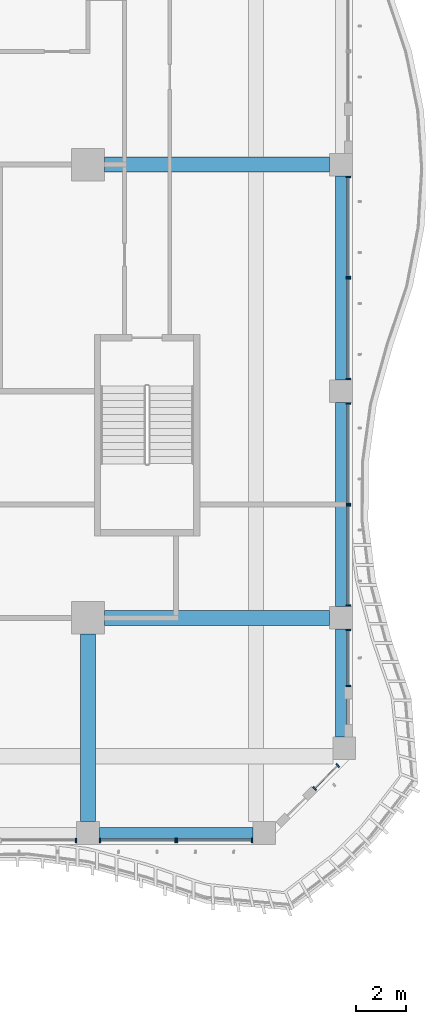
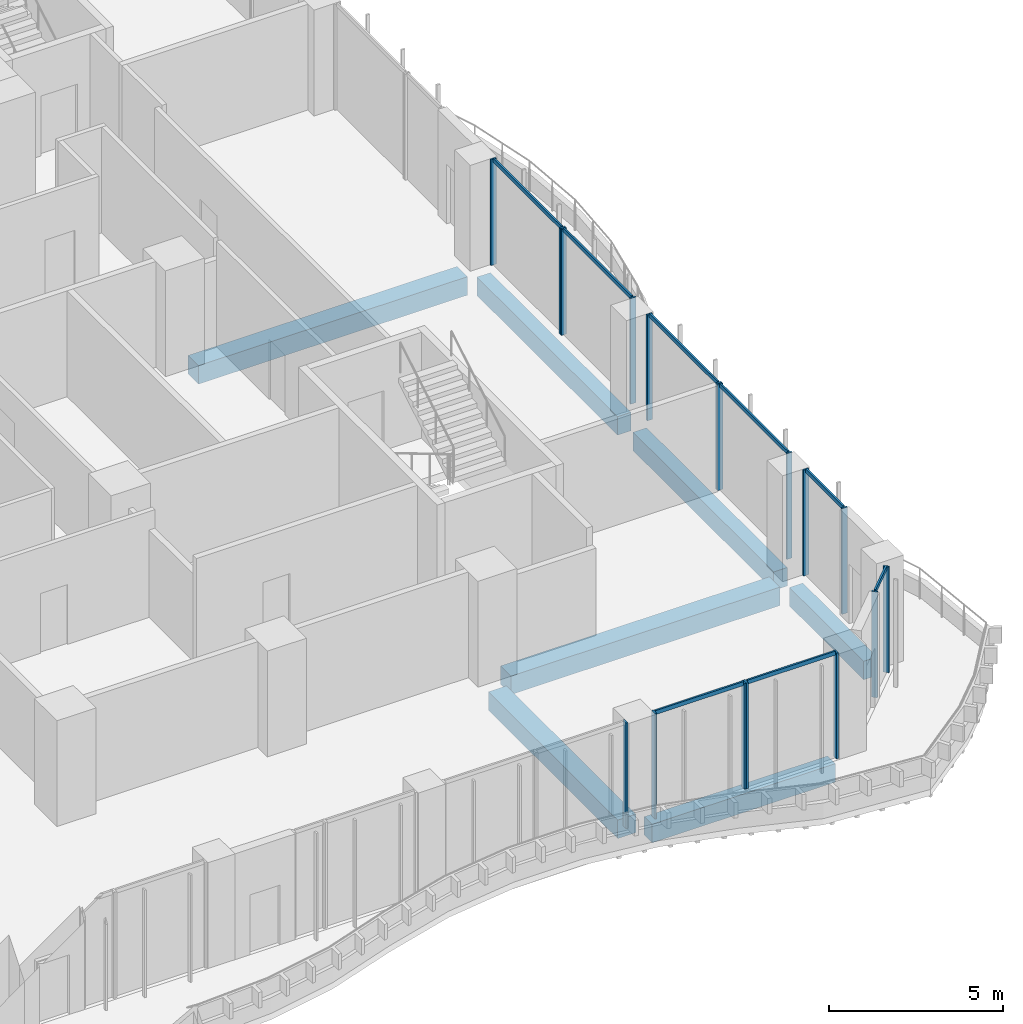
# One storey, part 7 of 29: 25 members, 7 beams, 9 elements without a shape of their own.
"""IFC4 building model written with IfcOpenShell, lengths in metres."""

from ifc_helpers import new_model, si_unit, direction, frame, origin, origin_2d, place, context, subcontext, project, spatial, rectangle, extrude, source, transform, mapped, material, material_profile, profile_set, type_object, element, aggregate, save


model = new_model("IFC4")

# Units and contexts
model_context = context("Model", 3, precision=1e-05, world=origin(), true_north=direction((0.0, 1.0)))
body_context = subcontext(model_context, "Body", "Model", "MODEL_VIEW")
ifc_project = project(units=[si_unit("LENGTHUNIT", "METRE"), si_unit("AREAUNIT", "SQUARE_METRE"), si_unit("VOLUMEUNIT", "CUBIC_METRE"), si_unit("PLANEANGLEUNIT", "RADIAN"), si_unit("MASSUNIT", "GRAM", prefix="KILO")], contexts=[model_context])

# Site, building, storey
site_placement = place(None, origin())
site = spatial("IfcSite", under=ifc_project, at=site_placement, CompositionType="ELEMENT")
building_placement = place(site_placement, origin())
building = spatial("IfcBuilding", under=site, at=building_placement, Name="Kilnfold Tower and Market Hall", CompositionType="ELEMENT")
storey_placement = place(building_placement, frame((0.0, 0.0, 27.0)))
storey = spatial("IfcBuildingStorey", under=building, at=storey_placement, Name="L05", CompositionType="ELEMENT", Elevation=27.0)

# Beams
ifc_material_1 = material(Name="Concrete C45", Category="concrete")
ifc_material_profile_1 = material_profile(ifc_material_1, rectangle(XDim=0.449951171875, YDim=0.64990234375, at=origin_2d()), Name="RC 450x650")
ifc_profile_set_1 = profile_set([ifc_material_profile_1], Name="Concrete C45")
beam_type_1 = type_object("IfcBeamType", Name="EDGE BEAM 450X650 C45", PredefinedType="BEAM", material=ifc_profile_set_1)
shared_shape_1 = source(origin(), body_context, "Body", "SweptSolid", [
    extrude(rectangle(XDim=0.449951171875, YDim=0.64990234375, at=origin_2d()), origin(), (0.0, 0.0, 1.0), 6.10009765625),
])
beam_1_placement = place(storey_placement, frame((17.949951171875, -27.550048828125, -0.60498046875), z_axis=(1.0, 0.0, 0.0), x_axis=(0.0, 1.0, 0.0)))
element("IfcBeam", 1, at=beam_1_placement, inside=storey, type_object=beam_type_1, Name="Beam EB650-B1.6", PredefinedType="BEAM", context=body_context, shape_type="MappedRepresentation", body=[
    mapped(shared_shape_1, transform((0.0, 0.0, 0.0))),
])
ifc_material_2 = material(Name="Concrete C45", Category="concrete")
ifc_material_profile_2 = material_profile(ifc_material_2, rectangle(XDim=0.60009765625, YDim=0.64990234375, at=origin_2d()), Name="RC 600x650")
ifc_profile_set_2 = profile_set([ifc_material_profile_2], Name="Concrete C45")
beam_type_2 = type_object("IfcBeamType", Name="BEAM 600X650 C45", PredefinedType="BEAM", material=ifc_profile_set_2)
shared_shape_2 = source(origin(), body_context, "Body", "SweptSolid", [
    extrude(rectangle(XDim=0.60009765625, YDim=0.64990234375, at=origin_2d()), origin(), (0.0, 0.0, 1.0), 8.9501953125),
])
for number, where, z_axis, x_axis, name in (
    (2, (18.14990234375, -19.0, -0.60498046875), (1.0, 0.0, 0.0), (0.0, 1.0, 0.0), "Beam BB650-B1.12"),
    (3, (18.14990234375, -1.0, -0.60498046875), (1.0, 0.0, 0.0), (0.0, 1.0, 0.0), "Beam BB650-B1.20"),
):
    element("IfcBeam", number, at=place(storey_placement, frame(where, z_axis=z_axis, x_axis=x_axis)), inside=storey, type_object=beam_type_2, Name=name, PredefinedType="BEAM", context=body_context, shape_type="MappedRepresentation", body=[
        mapped(shared_shape_2, transform((0.0, 0.0, 0.0))),
    ])
shared_shape_3 = source(origin(), body_context, "Body", "SweptSolid", [
    extrude(rectangle(XDim=0.449951171875, YDim=0.64990234375, at=origin_2d()), origin(), (0.0, 0.0, 1.0), 8.10009765625),
])
for number, where, z_axis, x_axis, name in (
    (4, (27.550048828125, -18.550048828125, -0.60498046875), (0.0, 1.0, 0.0), (-1.0, 0.0, 0.0), "Beam EB650-B1.52"),
    (5, (27.550048828125, -9.550048828125, -0.60498046875), (0.0, 1.0, 0.0), (-1.0, 0.0, 0.0), "Beam EB650-B1.58"),
):
    element("IfcBeam", number, at=place(storey_placement, frame(where, z_axis=z_axis, x_axis=x_axis)), inside=storey, type_object=beam_type_1, Name=name, PredefinedType="BEAM", context=body_context, shape_type="MappedRepresentation", body=[
        mapped(shared_shape_3, transform((0.0, 0.0, 0.0))),
    ])
shared_shape_4 = source(origin(), body_context, "Body", "SweptSolid", [
    extrude(rectangle(XDim=0.60009765625, YDim=0.64990234375, at=origin_2d()), origin(), (0.0, 0.0, 1.0), 7.4501953125),
])
beam_2_placement = place(storey_placement, frame((17.5, -27.10009765625, -0.60498046875), z_axis=(0.0, 1.0, 0.0), x_axis=(-1.0, 0.0, 0.0)))
element("IfcBeam", 6, at=beam_2_placement, inside=storey, type_object=beam_type_2, Name="Beam BB650-B1.50", PredefinedType="BEAM", context=body_context, shape_type="MappedRepresentation", body=[
    mapped(shared_shape_4, transform((0.0, 0.0, 0.0))),
])
shared_shape_5 = source(origin(), body_context, "Body", "SweptSolid", [
    extrude(rectangle(XDim=0.449951171875, YDim=0.64990234375, at=origin_2d()), origin(), (0.0, 0.0, 1.0), 4.28173828125),
])
beam_3_placement = place(storey_placement, frame((27.550048828125, -23.731689453125, -0.60498046875), z_axis=(0.0, 1.0, 0.0), x_axis=(-1.0, 0.0, 0.0)))
element("IfcBeam", 7, at=beam_3_placement, inside=storey, type_object=beam_type_1, Name="Beam EB650-B1.51", PredefinedType="BEAM", context=body_context, shape_type="MappedRepresentation", body=[
    mapped(shared_shape_5, transform((0.0, 0.0, 0.0))),
])

# Curtain wall, member
ifc_material_3 = material(Name="Aluminium and double glazing", Category="aluminium")
curtain_wall_type = type_object("IfcCurtainWallType", Name="CW OF1 VALLEY GLAZING", PredefinedType="NOTDEFINED", material=ifc_material_3)
curtain_wall_1_placement = place(storey_placement, origin())
curtain_wall_1 = element("IfcCurtainWall", 8, at=curtain_wall_1_placement, inside=storey, type_object=curtain_wall_type, Name="Curtain wall CW1 L05 S", PredefinedType="NOTDEFINED")
ifc_material_4 = material(Name="Aluminium", Category="aluminium")
ifc_material_profile_3 = material_profile(ifc_material_4, rectangle(XDim=0.06005859375, YDim=0.179931640625, at=origin_2d()), Name="MULLION 60x180")
ifc_profile_set_3 = profile_set([ifc_material_profile_3], Name="Aluminium")
member_type_1 = type_object("IfcMemberType", Name="MULLION 60X180", PredefinedType="MULLION", material=ifc_profile_set_3)
shared_shape_6 = source(origin(), body_context, "Body", "SweptSolid", [
    extrude(rectangle(XDim=0.06005859375, YDim=0.179931640625, at=origin_2d()), origin(), (0.0, 0.0, 1.0), 3.719970703125),
])
member_1_placement = place(storey_placement, frame((17.02001953125, -27.85009765625, 0.0), z_axis=(0.0, 0.0, 1.0), x_axis=(1.0, 0.0, 0.0)))
member_1 = element("IfcMember", 9, at=member_1_placement, type_object=member_type_1, Name="CW1 mullion 2", PredefinedType="MULLION", context=body_context, shape_type="MappedRepresentation", body=[
    mapped(shared_shape_6, transform((0.0, 0.0, 0.0))),
])
aggregate(curtain_wall_1, [member_1])

# Curtain wall, members
curtain_wall_2_placement = place(storey_placement, origin())
curtain_wall_2 = element("IfcCurtainWall", 10, at=curtain_wall_2_placement, inside=storey, type_object=curtain_wall_type, Name="Curtain wall CW1 L05 S", PredefinedType="NOTDEFINED")
member_2_placement = place(storey_placement, frame((17.97998046875, -27.85009765625, 0.0), z_axis=(0.0, 0.0, 1.0), x_axis=(1.0, 0.0, 0.0)))
member_2 = element("IfcMember", 11, at=member_2_placement, type_object=member_type_1, Name="CW1 mullion 1", PredefinedType="MULLION", context=body_context, shape_type="MappedRepresentation", body=[
    mapped(shared_shape_6, transform((0.0, 0.0, 0.0))),
])
member_3_placement = place(storey_placement, frame((20.969970703125, -27.85009765625, 0.0), z_axis=(0.0, 0.0, 1.0), x_axis=(1.0, 0.0, 0.0)))
member_3 = element("IfcMember", 12, at=member_3_placement, type_object=member_type_1, Name="CW1 mullion 2", PredefinedType="MULLION", context=body_context, shape_type="MappedRepresentation", body=[
    mapped(shared_shape_6, transform((0.0, 0.0, 0.0))),
])

curtain_wall_3_placement = place(storey_placement, origin())
curtain_wall_3 = element("IfcCurtainWall", 13, at=curtain_wall_3_placement, inside=storey, type_object=curtain_wall_type, Name="Curtain wall CW1 L05 S", PredefinedType="NOTDEFINED")
member_4_placement = place(storey_placement, frame((21.030029296875, -27.85009765625, 0.0), z_axis=(0.0, 0.0, 1.0), x_axis=(1.0, 0.0, 0.0)))
member_4 = element("IfcMember", 14, at=member_4_placement, type_object=member_type_1, Name="CW1 mullion 1", PredefinedType="MULLION", context=body_context, shape_type="MappedRepresentation", body=[
    mapped(shared_shape_6, transform((0.0, 0.0, 0.0))),
])
member_5_placement = place(storey_placement, frame((24.02001953125, -27.85009765625, 0.0), z_axis=(0.0, 0.0, 1.0), x_axis=(1.0, 0.0, 0.0)))
member_5 = element("IfcMember", 15, at=member_5_placement, type_object=member_type_1, Name="CW1 mullion 2", PredefinedType="MULLION", context=body_context, shape_type="MappedRepresentation", body=[
    mapped(shared_shape_6, transform((0.0, 0.0, 0.0))),
])

curtain_wall_4_placement = place(storey_placement, origin())
curtain_wall_4 = element("IfcCurtainWall", 16, at=curtain_wall_4_placement, inside=storey, type_object=curtain_wall_type, Name="Curtain wall CW1 L05 SE", PredefinedType="NOTDEFINED")
member_6_placement = place(storey_placement, frame((26.50439453125, -25.783447265625, 0.0), z_axis=(0.0, 0.0, 1.0), x_axis=(0.707106781187, 0.707106781187, 0.0)))
member_6 = element("IfcMember", 17, at=member_6_placement, type_object=member_type_1, Name="CW1 mullion 1", PredefinedType="MULLION", context=body_context, shape_type="MappedRepresentation", body=[
    mapped(shared_shape_6, transform((0.0, 0.0, 0.0))),
])
member_7_placement = place(storey_placement, frame((27.4228515625, -24.865234375, 0.0), z_axis=(0.0, 0.0, 1.0), x_axis=(0.707106781187, 0.707106781187, 0.0)))
member_7 = element("IfcMember", 18, at=member_7_placement, type_object=member_type_1, Name="CW1 mullion 2", PredefinedType="MULLION", context=body_context, shape_type="MappedRepresentation", body=[
    mapped(shared_shape_6, transform((0.0, 0.0, 0.0))),
])

curtain_wall_5_placement = place(storey_placement, origin())
curtain_wall_5 = element("IfcCurtainWall", 19, at=curtain_wall_5_placement, inside=storey, type_object=curtain_wall_type, Name="Curtain wall CW1 L05 E", PredefinedType="NOTDEFINED")
member_8_placement = place(storey_placement, frame((27.85009765625, -21.701904296875, 0.0), z_axis=(0.0, 0.0, 1.0), x_axis=(0.0, 1.0, 0.0)))
member_8 = element("IfcMember", 20, at=member_8_placement, type_object=member_type_1, Name="CW1 mullion 1", PredefinedType="MULLION", context=body_context, shape_type="MappedRepresentation", body=[
    mapped(shared_shape_6, transform((0.0, 0.0, 0.0))),
])
member_9_placement = place(storey_placement, frame((27.85009765625, -19.47998046875, 0.0), z_axis=(0.0, 0.0, 1.0), x_axis=(0.0, 1.0, 0.0)))
member_9 = element("IfcMember", 21, at=member_9_placement, type_object=member_type_1, Name="CW1 mullion 2", PredefinedType="MULLION", context=body_context, shape_type="MappedRepresentation", body=[
    mapped(shared_shape_6, transform((0.0, 0.0, 0.0))),
])

curtain_wall_6_placement = place(storey_placement, origin())
curtain_wall_6 = element("IfcCurtainWall", 22, at=curtain_wall_6_placement, inside=storey, type_object=curtain_wall_type, Name="Curtain wall CW1 L05 E", PredefinedType="NOTDEFINED")
member_10_placement = place(storey_placement, frame((27.85009765625, -18.52001953125, 0.0), z_axis=(0.0, 0.0, 1.0), x_axis=(0.0, 1.0, 0.0)))
member_10 = element("IfcMember", 23, at=member_10_placement, type_object=member_type_1, Name="CW1 mullion 1", PredefinedType="MULLION", context=body_context, shape_type="MappedRepresentation", body=[
    mapped(shared_shape_6, transform((0.0, 0.0, 0.0))),
])
member_11_placement = place(storey_placement, frame((27.85009765625, -14.530029296875, 0.0), z_axis=(0.0, 0.0, 1.0), x_axis=(0.0, 1.0, 0.0)))
member_11 = element("IfcMember", 24, at=member_11_placement, type_object=member_type_1, Name="CW1 mullion 2", PredefinedType="MULLION", context=body_context, shape_type="MappedRepresentation", body=[
    mapped(shared_shape_6, transform((0.0, 0.0, 0.0))),
])

curtain_wall_7_placement = place(storey_placement, origin())
curtain_wall_7 = element("IfcCurtainWall", 25, at=curtain_wall_7_placement, inside=storey, type_object=curtain_wall_type, Name="Curtain wall CW1 L05 E", PredefinedType="NOTDEFINED")
member_12_placement = place(storey_placement, frame((27.85009765625, -14.469970703125, 0.0), z_axis=(0.0, 0.0, 1.0), x_axis=(0.0, 1.0, 0.0)))
member_12 = element("IfcMember", 26, at=member_12_placement, type_object=member_type_1, Name="CW1 mullion 1", PredefinedType="MULLION", context=body_context, shape_type="MappedRepresentation", body=[
    mapped(shared_shape_6, transform((0.0, 0.0, 0.0))),
])
member_13_placement = place(storey_placement, frame((27.85009765625, -10.47998046875, 0.0), z_axis=(0.0, 0.0, 1.0), x_axis=(0.0, 1.0, 0.0)))
member_13 = element("IfcMember", 27, at=member_13_placement, type_object=member_type_1, Name="CW1 mullion 2", PredefinedType="MULLION", context=body_context, shape_type="MappedRepresentation", body=[
    mapped(shared_shape_6, transform((0.0, 0.0, 0.0))),
])

curtain_wall_8_placement = place(storey_placement, origin())
curtain_wall_8 = element("IfcCurtainWall", 28, at=curtain_wall_8_placement, inside=storey, type_object=curtain_wall_type, Name="Curtain wall CW1 L05 E", PredefinedType="NOTDEFINED")
member_14_placement = place(storey_placement, frame((27.85009765625, -9.52001953125, 0.0), z_axis=(0.0, 0.0, 1.0), x_axis=(0.0, 1.0, 0.0)))
member_14 = element("IfcMember", 29, at=member_14_placement, type_object=member_type_1, Name="CW1 mullion 1", PredefinedType="MULLION", context=body_context, shape_type="MappedRepresentation", body=[
    mapped(shared_shape_6, transform((0.0, 0.0, 0.0))),
])
member_15_placement = place(storey_placement, frame((27.85009765625, -5.530029296875, 0.0), z_axis=(0.0, 0.0, 1.0), x_axis=(0.0, 1.0, 0.0)))
member_15 = element("IfcMember", 30, at=member_15_placement, type_object=member_type_1, Name="CW1 mullion 2", PredefinedType="MULLION", context=body_context, shape_type="MappedRepresentation", body=[
    mapped(shared_shape_6, transform((0.0, 0.0, 0.0))),
])

curtain_wall_9_placement = place(storey_placement, origin())
curtain_wall_9 = element("IfcCurtainWall", 31, at=curtain_wall_9_placement, inside=storey, type_object=curtain_wall_type, Name="Curtain wall CW1 L05 E", PredefinedType="NOTDEFINED")
member_16_placement = place(storey_placement, frame((27.85009765625, -5.469970703125, 0.0), z_axis=(0.0, 0.0, 1.0), x_axis=(0.0, 1.0, 0.0)))
member_16 = element("IfcMember", 32, at=member_16_placement, type_object=member_type_1, Name="CW1 mullion 1", PredefinedType="MULLION", context=body_context, shape_type="MappedRepresentation", body=[
    mapped(shared_shape_6, transform((0.0, 0.0, 0.0))),
])
member_17_placement = place(storey_placement, frame((27.85009765625, -1.47998046875, 0.0), z_axis=(0.0, 0.0, 1.0), x_axis=(0.0, 1.0, 0.0)))
member_17 = element("IfcMember", 33, at=member_17_placement, type_object=member_type_1, Name="CW1 mullion 2", PredefinedType="MULLION", context=body_context, shape_type="MappedRepresentation", body=[
    mapped(shared_shape_6, transform((0.0, 0.0, 0.0))),
])

# Member
ifc_material_5 = material(Name="Aluminium", Category="aluminium")
ifc_material_profile_4 = material_profile(ifc_material_5, rectangle(XDim=0.06005859375, YDim=0.139892578125, at=origin_2d()), Name="TRANSOM 60x140")
ifc_profile_set_4 = profile_set([ifc_material_profile_4], Name="Aluminium")
member_type_2 = type_object("IfcMemberType", Name="TRANSOM 60X140", PredefinedType="USERDEFINED", material=ifc_profile_set_4)
shared_shape_7 = source(origin(), body_context, "Body", "SweptSolid", [
    extrude(rectangle(XDim=0.06005859375, YDim=0.139892578125, at=origin_2d()), origin(), (0.0, 0.0, 1.0), 2.929931640625),
])
member_18_placement = place(storey_placement, frame((18.010009765625, -27.85009765625, 3.68994140625), z_axis=(1.0, 0.0, 0.0), x_axis=(0.0, 1.0, 0.0)))
member_18 = element("IfcMember", 34, at=member_18_placement, type_object=member_type_2, Name="CW1 transom 1.2", ObjectType="TRANSOM", PredefinedType="USERDEFINED", context=body_context, shape_type="MappedRepresentation", body=[
    mapped(shared_shape_7, transform((0.0, 0.0, 0.0))),
])

aggregate(curtain_wall_2, [member_2, member_3, member_18])

member_19_placement = place(storey_placement, frame((21.06005859375, -27.85009765625, 3.68994140625), z_axis=(1.0, 0.0, 0.0), x_axis=(0.0, 1.0, 0.0)))
member_19 = element("IfcMember", 35, at=member_19_placement, type_object=member_type_2, Name="CW1 transom 1.2", ObjectType="TRANSOM", PredefinedType="USERDEFINED", context=body_context, shape_type="MappedRepresentation", body=[
    mapped(shared_shape_7, transform((0.0, 0.0, 0.0))),
])

aggregate(curtain_wall_3, [member_4, member_5, member_19])

shared_shape_8 = source(origin(), body_context, "Body", "SweptSolid", [
    extrude(rectangle(XDim=0.06005859375, YDim=0.139892578125, at=origin_2d()), origin(), (0.0, 0.0, 1.0), 1.23876953125),
])
member_20_placement = place(storey_placement, frame((26.525634765625, -25.76220703125, 3.68994140625), z_axis=(0.707106781187, 0.707106781187, 0.0), x_axis=(-0.707106781187, 0.707106781187, 0.0)))
member_20 = element("IfcMember", 36, at=member_20_placement, type_object=member_type_2, Name="CW1 transom 1.2", ObjectType="TRANSOM", PredefinedType="USERDEFINED", context=body_context, shape_type="MappedRepresentation", body=[
    mapped(shared_shape_8, transform((0.0, 0.0, 0.0))),
])

aggregate(curtain_wall_4, [member_6, member_7, member_20])

shared_shape_9 = source(origin(), body_context, "Body", "SweptSolid", [
    extrude(rectangle(XDim=0.06005859375, YDim=0.139892578125, at=origin_2d()), origin(), (0.0, 0.0, 1.0), 2.161865234375),
])
member_21_placement = place(storey_placement, frame((27.85009765625, -21.671875, 3.68994140625), z_axis=(0.0, 1.0, 0.0), x_axis=(-1.0, 0.0, 0.0)))
member_21 = element("IfcMember", 37, at=member_21_placement, type_object=member_type_2, Name="CW1 transom 1.2", ObjectType="TRANSOM", PredefinedType="USERDEFINED", context=body_context, shape_type="MappedRepresentation", body=[
    mapped(shared_shape_9, transform((0.0, 0.0, 0.0))),
])

aggregate(curtain_wall_5, [member_8, member_9, member_21])

shared_shape_10 = source(origin(), body_context, "Body", "SweptSolid", [
    extrude(rectangle(XDim=0.06005859375, YDim=0.139892578125, at=origin_2d()), origin(), (0.0, 0.0, 1.0), 3.929931640625),
])
member_22_placement = place(storey_placement, frame((27.85009765625, -18.489990234375, 3.68994140625), z_axis=(0.0, 1.0, 0.0), x_axis=(-1.0, 0.0, 0.0)))
member_22 = element("IfcMember", 38, at=member_22_placement, type_object=member_type_2, Name="CW1 transom 1.2", ObjectType="TRANSOM", PredefinedType="USERDEFINED", context=body_context, shape_type="MappedRepresentation", body=[
    mapped(shared_shape_10, transform((0.0, 0.0, 0.0))),
])

aggregate(curtain_wall_6, [member_10, member_11, member_22])

member_23_placement = place(storey_placement, frame((27.85009765625, -14.43994140625, 3.68994140625), z_axis=(0.0, 1.0, 0.0), x_axis=(-1.0, 0.0, 0.0)))
member_23 = element("IfcMember", 39, at=member_23_placement, type_object=member_type_2, Name="CW1 transom 1.2", ObjectType="TRANSOM", PredefinedType="USERDEFINED", context=body_context, shape_type="MappedRepresentation", body=[
    mapped(shared_shape_10, transform((0.0, 0.0, 0.0))),
])

aggregate(curtain_wall_7, [member_12, member_13, member_23])

member_24_placement = place(storey_placement, frame((27.85009765625, -9.489990234375, 3.68994140625), z_axis=(0.0, 1.0, 0.0), x_axis=(-1.0, 0.0, 0.0)))
member_24 = element("IfcMember", 40, at=member_24_placement, type_object=member_type_2, Name="CW1 transom 1.2", ObjectType="TRANSOM", PredefinedType="USERDEFINED", context=body_context, shape_type="MappedRepresentation", body=[
    mapped(shared_shape_10, transform((0.0, 0.0, 0.0))),
])

aggregate(curtain_wall_8, [member_14, member_15, member_24])

member_25_placement = place(storey_placement, frame((27.85009765625, -5.43994140625, 3.68994140625), z_axis=(0.0, 1.0, 0.0), x_axis=(-1.0, 0.0, 0.0)))
member_25 = element("IfcMember", 41, at=member_25_placement, type_object=member_type_2, Name="CW1 transom 1.2", ObjectType="TRANSOM", PredefinedType="USERDEFINED", context=body_context, shape_type="MappedRepresentation", body=[
    mapped(shared_shape_10, transform((0.0, 0.0, 0.0))),
])

aggregate(curtain_wall_9, [member_16, member_17, member_25])

save(model, "model.ifc")
